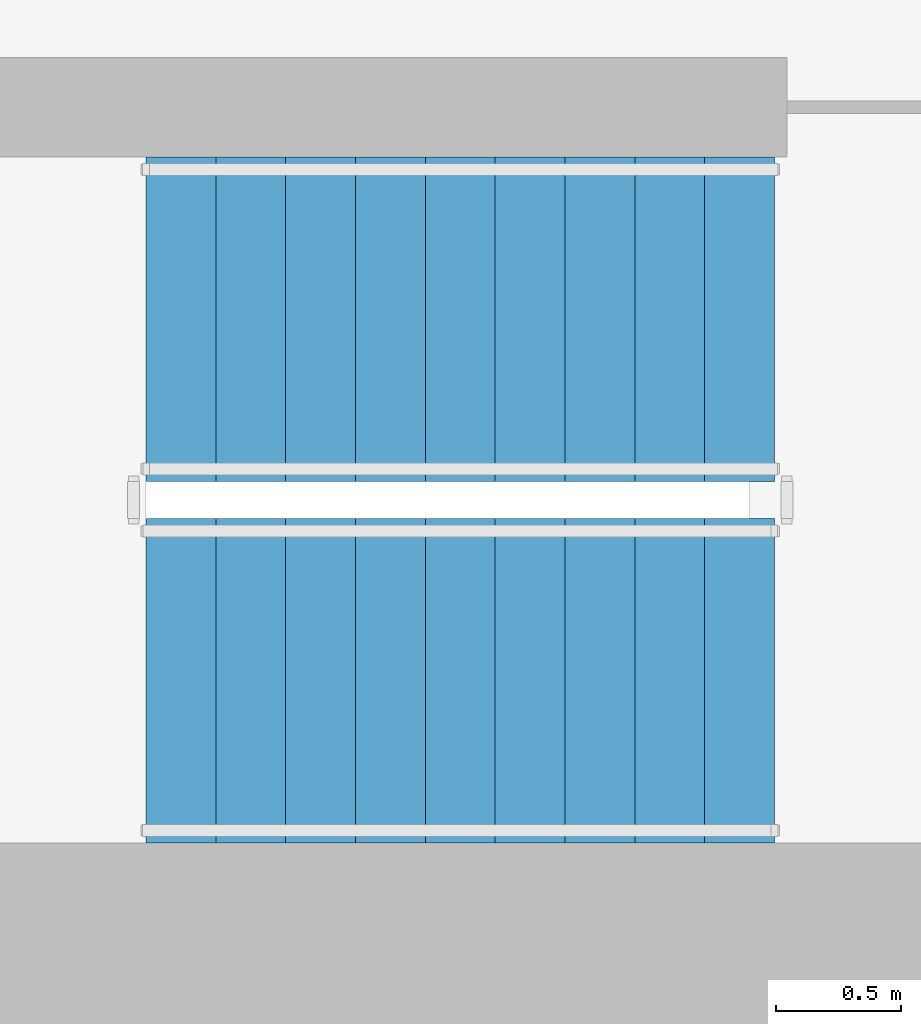
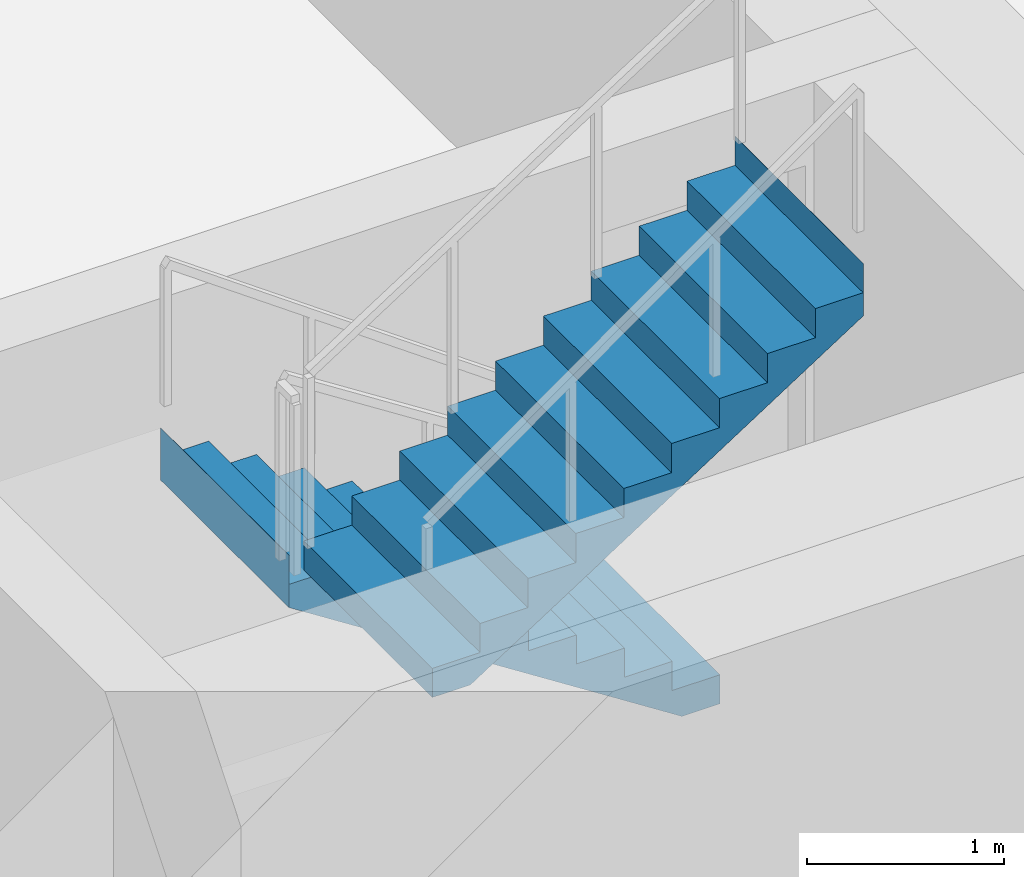
# One storey, part 19 of 24: 2 stair flights, 1 element without a shape of its own.
"""IFC4 building model written with IfcOpenShell, lengths in metres."""

import ifcopenshell
import ifcopenshell.guid

model = None  # the IFC model being written
_history = None  # IfcOwnerHistory: only IFC2X3 demands one
_inside = {}  # id of a spatial element -> (the spatial element, [elements in it])
_under = {}  # id of a project, library or spatial element -> (it, [spatial elements below it])
_declared = {}  # id of a project -> (the project, [libraries it declares])
_typed = {}  # id of a type object -> (the type object, [elements of that type])
_made_of = {}  # id of a material, layer set ... -> (it, [elements and type objects made of it])


def new_model(schema):
    """Start an empty IFC model of exactly this schema.

    Asked for "IFC4X3", IfcOpenShell would pick the latest addendum, in which some entities
    have other attributes; the version numbers below select the first issue.
    IFC2X3 requires an IfcOwnerHistory on every rooted entity: one is made here for all.
    """
    global model, _history
    if schema == "IFC4X3":
        model = ifcopenshell.file(schema_version=(4, 3, 0, 0))
    else:
        model = ifcopenshell.file(schema=schema)
    _inside.clear()
    _under.clear()
    _declared.clear()
    _typed.clear()
    _made_of.clear()
    _history = None
    if model.schema == "IFC2X3":
        org = make("IfcOrganization", Name="unknown")
        user = make(
            "IfcPersonAndOrganization",
            ThePerson=make("IfcPerson", FamilyName="unknown"),
            TheOrganization=org,
        )
        app = make(
            "IfcApplication",
            ApplicationDeveloper=org,
            Version="unknown",
            ApplicationFullName="unknown",
            ApplicationIdentifier="unknown",
        )
        _history = make(
            "IfcOwnerHistory",
            OwningUser=user,
            OwningApplication=app,
            ChangeAction="ADDED",
            CreationDate=0,
        )
    return model


def make(cls, **values):
    """One entity of the class cls with the attributes given. An attribute that is None is left unset."""
    return model.create_entity(
        cls, **{name: value for name, value in values.items() if value is not None}
    )


def rooted(cls, **values):
    """An entity with a GlobalId (a new one), such as an element, a storey or a relation."""
    return make(cls, GlobalId=ifcopenshell.guid.new(), OwnerHistory=_history, **values)


def si_unit(unit_type, name, prefix=None):
    """IfcSIUnit, for example si_unit("LENGTHUNIT", "METRE", prefix="MILLI")."""
    return make("IfcSIUnit", UnitType=unit_type, Prefix=prefix, Name=name)


def assignment(units):
    """IfcUnitAssignment: the units of a project."""
    return None if units is None else make("IfcUnitAssignment", Units=units)


def point(xyz):
    """IfcCartesianPoint."""
    return None if xyz is None else make("IfcCartesianPoint", Coordinates=xyz)


def direction(xyz):
    """IfcDirection."""
    return None if xyz is None else make("IfcDirection", DirectionRatios=xyz)


def frame(location, z_axis=None, x_axis=None):
    """IfcAxis2Placement3D, a coordinate frame: its origin and axes. An axis left out is left unset."""
    return make(
        "IfcAxis2Placement3D",
        Location=point(location),
        Axis=direction(z_axis),
        RefDirection=direction(x_axis),
    )


def origin():
    """The frame at (0, 0, 0) with its axes left unset."""
    return frame((0.0, 0.0, 0.0))


def place(relative_to, where):
    """IfcLocalPlacement: puts the frame where relative to a parent placement (None: the world)."""
    return make(
        "IfcLocalPlacement", PlacementRelTo=relative_to, RelativePlacement=where
    )


def context(
    kind, dimensions, precision=None, world=None, true_north=None, identifier=None
):
    """IfcGeometricRepresentationContext, for example the 3D "Model" context."""
    return make(
        "IfcGeometricRepresentationContext",
        ContextIdentifier=identifier,
        ContextType=kind,
        CoordinateSpaceDimension=dimensions,
        Precision=precision,
        WorldCoordinateSystem=world,
        TrueNorth=true_north,
    )


def subcontext(parent, identifier, kind, view, scale=None):
    """IfcGeometricRepresentationSubContext, for example "Body" below "Model"."""
    return make(
        "IfcGeometricRepresentationSubContext",
        ContextIdentifier=identifier,
        ContextType=kind,
        ParentContext=parent,
        TargetScale=scale,
        TargetView=view,
    )


def project(units=None, contexts=None):
    """IfcProject with its units and contexts."""
    return rooted(
        "IfcProject",
        Name="project",
        RepresentationContexts=contexts,
        UnitsInContext=assignment(units),
    )


def spatial(cls, under=None, at=None, **own):
    """A site, building, storey or space (cls), placed at a placement, below another one or the project."""
    s = rooted(cls, ObjectPlacement=at, **own)
    if under is not None:
        _under.setdefault(under.id(), (under, []))[1].append(s)
    return s


def point_list(points):
    """IfcCartesianPointList2D or 3D."""
    cls = (
        "IfcCartesianPointList2D" if len(points[0]) == 2 else "IfcCartesianPointList3D"
    )
    return make(cls, CoordList=points)


def triangles(points, corners, closed=None, point_numbers=None):
    """IfcTriangulatedFaceSet: each triangle names its three corners, points numbered from 1."""
    return make(
        "IfcTriangulatedFaceSet",
        Coordinates=point_list(points),
        Closed=closed,
        CoordIndex=corners,
        PnIndex=point_numbers,
    )


def shape(context_of_items, identifier, shape_type, items):
    """IfcShapeRepresentation: the items that make up one representation, for example the "Body"."""
    return make(
        "IfcShapeRepresentation",
        ContextOfItems=context_of_items,
        RepresentationIdentifier=identifier,
        RepresentationType=shape_type,
        Items=items,
    )


def material(Name=None, Category=None):
    """IfcMaterial."""
    return make("IfcMaterial", Name=Name, Category=Category)


def made_of(thing, what):
    """Note that an element or type object is made of a material, layer set ...; save() writes the relation."""
    if what is not None:
        _made_of.setdefault(what.id(), (what, []))[1].append(thing)
    return thing


def type_object(cls, material=None, **own):
    """A type object (cls), such as IfcWallType, which elements share."""
    return made_of(rooted(cls, **own), material)


def element(
    cls,
    number,
    at=None,
    inside=None,
    cuts=None,
    type_object=None,
    material=None,
    context=None,
    identifier="Body",
    shape_type=None,
    held_by="IfcProductDefinitionShape",
    body=None,
    shapes=None,
    **own,
):
    """One element of the class cls, such as IfcWall. Its Tag is "e" and its number.

    at: its placement. inside: the storey or other place that contains it. cuts: it is an
    opening in that element (IfcRelVoidsElement). A single representation is given by context,
    identifier, shape_type and body (its items); several are given by shapes. held_by: the class
    of the entity that holds the representations. save() writes the other relations.
    """
    e = rooted(cls, Tag="e%d" % number, ObjectPlacement=at, **own)
    if body is not None:
        shapes = [shape(context, identifier, shape_type, body)]
    if shapes is not None:
        e.Representation = make(held_by, Representations=shapes)
    if inside is not None:
        _inside.setdefault(inside.id(), (inside, []))[1].append(e)
    if cuts is not None:
        rooted(
            "IfcRelVoidsElement", RelatingBuildingElement=cuts, RelatedOpeningElement=e
        )
    if type_object is not None:
        _typed.setdefault(type_object.id(), (type_object, []))[1].append(e)
    return made_of(e, material)


def aggregate(whole, parts):
    """IfcRelAggregates: a whole, such as a stair, and the parts it consists of."""
    return rooted("IfcRelAggregates", RelatingObject=whole, RelatedObjects=parts)


def save(model, path):
    """Write the relations noted so far, then the file.

    IfcRelAggregates (storeys below a building ...), IfcRelContainedInSpatialStructure (elements
    in a storey), IfcRelDefinesByType, IfcRelAssociatesMaterial and IfcRelDeclares: one each for
    every whole, place, type object, material and project.
    """
    for whole, parts in _under.values():
        aggregate(whole, parts)
    for where, things in _inside.values():
        rooted(
            "IfcRelContainedInSpatialStructure",
            RelatedElements=things,
            RelatingStructure=where,
        )
    for kind, things in _typed.values():
        rooted("IfcRelDefinesByType", RelatedObjects=things, RelatingType=kind)
    for what, things in _made_of.values():
        rooted("IfcRelAssociatesMaterial", RelatedObjects=things, RelatingMaterial=what)
    for by, libraries in _declared.values():
        rooted("IfcRelDeclares", RelatingContext=by, RelatedDefinitions=libraries)
    model.write(path)


model = new_model("IFC4")

# Units and contexts
model_context = context("Model", 3, precision=1e-05, world=origin(), true_north=direction((0.0, 1.0)))
body_context = subcontext(model_context, "Body", "Model", "MODEL_VIEW")
ifc_project = project(units=[si_unit("LENGTHUNIT", "METRE"), si_unit("AREAUNIT", "SQUARE_METRE"), si_unit("VOLUMEUNIT", "CUBIC_METRE"), si_unit("PLANEANGLEUNIT", "RADIAN"), si_unit("MASSUNIT", "GRAM", prefix="KILO")], contexts=[model_context])

# Site, building, storey
site_placement = place(None, origin())
site = spatial("IfcSite", under=ifc_project, at=site_placement, CompositionType="ELEMENT")
building_placement = place(site_placement, origin())
building = spatial("IfcBuilding", under=site, at=building_placement, Name="Beryl Residences", CompositionType="ELEMENT")
storey_placement = place(building_placement, frame((0.0, 0.0, 199.199951171875)))
storey = spatial("IfcBuildingStorey", under=building, at=storey_placement, Name="L61", CompositionType="ELEMENT", Elevation=199.199951171875)

# Stair, stair flights
ifc_material_1 = material(Name="Concrete C40/50", Category="concrete")
stair_type = type_object("IfcStairType", Name="ST1 protected exit stair, half-turn, 1300 mm flights", PredefinedType="HALF_TURN_STAIR", material=ifc_material_1)
stair_placement = place(storey_placement, origin())
stair = element("IfcStair", 1, at=stair_placement, inside=storey, type_object=stair_type, Name="L61 PROTECTED EXIT STAIR ST-3", PredefinedType="HALF_TURN_STAIR")
ifc_material_2 = material(Name="Concrete C40/50", Category="concrete")
stair_flight_type = type_object("IfcStairFlightType", Name="SF1 stair flight 1300 mm", PredefinedType="STRAIGHT", material=ifc_material_2)
stair_flight_1_placement = place(storey_placement, frame((10.800048828125, -15.5, 0.0), z_axis=(0.0, 0.0, 1.0), x_axis=(-1.0, 0.0, 0.0)))
stair_flight_1 = element("IfcStairFlight", 2, at=stair_flight_1_placement, type_object=stair_flight_type, Name="ST-3 flight 1", NumberOfRisers=10, NumberOfTreads=9, PredefinedType="STRAIGHT", RiserHeight=0.18, TreadLength=0.28, context=body_context, shape_type="Tessellation", body=[
    triangles([(0.0, -0.64990234375, 0.0), (0.0, -0.324951171875, 0.0), (0.0, 0.0, 0.0), (0.0, 0.324951171875, 0.0), (0.0, 0.64990234375, 0.0), (0.0, -0.64990234375, 0.179931640625), (0.0, -0.324951171875, 0.179931640625), (0.0, 0.0, 0.179931640625), (0.0, 0.324951171875, 0.179931640625), (0.0, 0.64990234375, 0.179931640625), (0.280029296875, -0.64990234375, 0.179931640625), (0.280029296875, -0.324951171875, 0.179931640625), (0.280029296875, 0.0, 0.179931640625), (0.280029296875, 0.324951171875, 0.179931640625), (0.280029296875, 0.64990234375, 0.179931640625), (0.280029296875, -0.64990234375, 0.360107421875), (0.280029296875, -0.324951171875, 0.360107421875), (0.280029296875, 0.0, 0.360107421875), (0.280029296875, 0.324951171875, 0.360107421875), (0.280029296875, 0.64990234375, 0.360107421875), (0.56005859375, -0.64990234375, 0.360107421875), (0.56005859375, -0.324951171875, 0.360107421875), (0.56005859375, 0.0, 0.360107421875), (0.56005859375, 0.324951171875, 0.360107421875), (0.56005859375, 0.64990234375, 0.360107421875), (0.56005859375, -0.64990234375, 0.5400390625), (0.56005859375, -0.324951171875, 0.5400390625), (0.56005859375, 0.0, 0.5400390625), (0.56005859375, 0.324951171875, 0.5400390625), (0.56005859375, 0.64990234375, 0.5400390625), (0.840087890625, -0.64990234375, 0.5400390625), (0.840087890625, -0.324951171875, 0.5400390625), (0.840087890625, 0.0, 0.5400390625), (0.840087890625, 0.324951171875, 0.5400390625), (0.840087890625, 0.64990234375, 0.5400390625), (0.840087890625, -0.64990234375, 0.719970703125), (0.840087890625, -0.324951171875, 0.719970703125), (0.840087890625, 0.0, 0.719970703125), (0.840087890625, 0.324951171875, 0.719970703125), (0.840087890625, 0.64990234375, 0.719970703125), (1.1201171875, -0.64990234375, 0.719970703125), (1.1201171875, -0.324951171875, 0.719970703125), (1.1201171875, 0.0, 0.719970703125), (1.1201171875, 0.324951171875, 0.719970703125), (1.1201171875, 0.64990234375, 0.719970703125), (1.1201171875, -0.64990234375, 0.89990234375), (1.1201171875, -0.324951171875, 0.89990234375), (1.1201171875, 0.0, 0.89990234375), (1.1201171875, 0.324951171875, 0.89990234375), (1.1201171875, 0.64990234375, 0.89990234375), (1.39990234375, -0.64990234375, 0.89990234375), (1.39990234375, -0.324951171875, 0.89990234375), (1.39990234375, 0.0, 0.89990234375), (1.39990234375, 0.324951171875, 0.89990234375), (1.39990234375, 0.64990234375, 0.89990234375), (1.39990234375, -0.64990234375, 1.080078125), (1.39990234375, -0.324951171875, 1.080078125), (1.39990234375, 0.0, 1.080078125), (1.39990234375, 0.324951171875, 1.080078125), (1.39990234375, 0.64990234375, 1.080078125), (1.679931640625, -0.64990234375, 1.080078125), (1.679931640625, -0.324951171875, 1.080078125), (1.679931640625, 0.0, 1.080078125), (1.679931640625, 0.324951171875, 1.080078125), (1.679931640625, 0.64990234375, 1.080078125), (1.679931640625, -0.64990234375, 1.260009765625), (1.679931640625, -0.324951171875, 1.260009765625), (1.679931640625, 0.0, 1.260009765625), (1.679931640625, 0.324951171875, 1.260009765625), (1.679931640625, 0.64990234375, 1.260009765625), (1.9599609375, -0.64990234375, 1.260009765625), (1.9599609375, -0.324951171875, 1.260009765625), (1.9599609375, 0.0, 1.260009765625), (1.9599609375, 0.324951171875, 1.260009765625), (1.9599609375, 0.64990234375, 1.260009765625), (1.9599609375, -0.64990234375, 1.43994140625), (1.9599609375, -0.324951171875, 1.43994140625), (1.9599609375, 0.0, 1.43994140625), (1.9599609375, 0.324951171875, 1.43994140625), (1.9599609375, 0.64990234375, 1.43994140625), (2.239990234375, -0.64990234375, 1.43994140625), (2.239990234375, -0.324951171875, 1.43994140625), (2.239990234375, 0.0, 1.43994140625), (2.239990234375, 0.324951171875, 1.43994140625), (2.239990234375, 0.64990234375, 1.43994140625), (2.239990234375, -0.64990234375, 1.6201171875), (2.239990234375, -0.324951171875, 1.6201171875), (2.239990234375, 0.0, 1.6201171875), (2.239990234375, 0.324951171875, 1.6201171875), (2.239990234375, 0.64990234375, 1.6201171875), (2.52001953125, -0.64990234375, 1.6201171875), (2.52001953125, -0.324951171875, 1.6201171875), (2.52001953125, 0.0, 1.6201171875), (2.52001953125, 0.324951171875, 1.6201171875), (2.52001953125, 0.64990234375, 1.6201171875), (2.52001953125, -0.64990234375, 1.800048828125), (2.52001953125, -0.324951171875, 1.800048828125), (2.52001953125, 0.0, 1.800048828125), (2.52001953125, 0.324951171875, 1.800048828125), (2.52001953125, 0.64990234375, 1.800048828125), (2.52099609375, -0.64990234375, 1.800048828125), (2.52099609375, -0.324951171875, 1.800048828125), (2.52099609375, 0.0, 1.800048828125), (2.52099609375, 0.324951171875, 1.800048828125), (2.52099609375, 0.64990234375, 1.800048828125), (2.52099609375, -0.64990234375, 1.477294921875), (2.52099609375, -0.324951171875, 1.477294921875), (2.52099609375, 0.0, 1.477294921875), (2.52099609375, 0.324951171875, 1.477294921875), (2.52099609375, 0.64990234375, 1.477294921875), (0.22314453125, -0.64990234375, 0.0), (0.22314453125, -0.324951171875, 0.0), (0.22314453125, 0.0, 0.0), (0.22314453125, 0.324951171875, 0.0), (0.22314453125, 0.64990234375, 0.0)], [[1, 6, 7], [1, 7, 2], [2, 7, 8], [2, 8, 3], [3, 8, 9], [3, 9, 4], [4, 9, 10], [4, 10, 5], [6, 11, 12], [6, 12, 7], [7, 12, 13], [7, 13, 8], [8, 13, 14], [8, 14, 9], [9, 14, 15], [9, 15, 10], [11, 16, 17], [11, 17, 12], [12, 17, 18], [12, 18, 13], [13, 18, 19], [13, 19, 14], [14, 19, 20], [14, 20, 15], [16, 21, 22], [16, 22, 17], [17, 22, 23], [17, 23, 18], [18, 23, 24], [18, 24, 19], [19, 24, 25], [19, 25, 20], [21, 26, 27], [21, 27, 22], [22, 27, 28], [22, 28, 23], [23, 28, 29], [23, 29, 24], [24, 29, 30], [24, 30, 25], [26, 31, 32], [26, 32, 27], [27, 32, 33], [27, 33, 28], [28, 33, 34], [28, 34, 29], [29, 34, 35], [29, 35, 30], [31, 36, 37], [31, 37, 32], [32, 37, 38], [32, 38, 33], [33, 38, 39], [33, 39, 34], [34, 39, 40], [34, 40, 35], [36, 41, 42], [36, 42, 37], [37, 42, 43], [37, 43, 38], [38, 43, 44], [38, 44, 39], [39, 44, 45], [39, 45, 40], [41, 46, 47], [41, 47, 42], [42, 47, 48], [42, 48, 43], [43, 48, 49], [43, 49, 44], [44, 49, 50], [44, 50, 45], [46, 51, 52], [46, 52, 47], [47, 52, 53], [47, 53, 48], [48, 53, 54], [48, 54, 49], [49, 54, 55], [49, 55, 50], [51, 56, 57], [51, 57, 52], [52, 57, 58], [52, 58, 53], [53, 58, 59], [53, 59, 54], [54, 59, 60], [54, 60, 55], [56, 61, 62], [56, 62, 57], [57, 62, 63], [57, 63, 58], [58, 63, 64], [58, 64, 59], [59, 64, 65], [59, 65, 60], [61, 66, 67], [61, 67, 62], [62, 67, 68], [62, 68, 63], [63, 68, 69], [63, 69, 64], [64, 69, 70], [64, 70, 65], [66, 71, 72], [66, 72, 67], [67, 72, 73], [67, 73, 68], [68, 73, 74], [68, 74, 69], [69, 74, 75], [69, 75, 70], [71, 76, 77], [71, 77, 72], [72, 77, 78], [72, 78, 73], [73, 78, 79], [73, 79, 74], [74, 79, 80], [74, 80, 75], [76, 81, 82], [76, 82, 77], [77, 82, 83], [77, 83, 78], [78, 83, 84], [78, 84, 79], [79, 84, 85], [79, 85, 80], [81, 86, 87], [81, 87, 82], [82, 87, 88], [82, 88, 83], [83, 88, 89], [83, 89, 84], [84, 89, 90], [84, 90, 85], [86, 91, 92], [86, 92, 87], [87, 92, 93], [87, 93, 88], [88, 93, 94], [88, 94, 89], [89, 94, 95], [89, 95, 90], [91, 96, 97], [91, 97, 92], [92, 97, 98], [92, 98, 93], [93, 98, 99], [93, 99, 94], [94, 99, 100], [94, 100, 95], [96, 101, 102], [96, 102, 97], [97, 102, 103], [97, 103, 98], [98, 103, 104], [98, 104, 99], [99, 104, 105], [99, 105, 100], [101, 106, 107], [101, 107, 102], [102, 107, 108], [102, 108, 103], [103, 108, 109], [103, 109, 104], [104, 109, 110], [104, 110, 105], [106, 111, 112], [106, 112, 107], [107, 112, 113], [107, 113, 108], [108, 113, 114], [108, 114, 109], [109, 114, 115], [109, 115, 110], [111, 1, 2], [111, 2, 112], [112, 2, 3], [112, 3, 113], [113, 3, 4], [113, 4, 114], [114, 4, 5], [114, 5, 115], [1, 111, 106], [5, 110, 115], [106, 101, 96], [110, 100, 105], [106, 96, 91], [110, 95, 100], [106, 91, 86], [110, 90, 95], [106, 86, 81], [110, 85, 90], [81, 76, 71], [85, 75, 80], [106, 81, 71], [110, 75, 85], [71, 66, 61], [75, 65, 70], [106, 71, 61], [110, 65, 75], [61, 56, 51], [65, 55, 60], [106, 61, 51], [110, 55, 65], [51, 46, 41], [55, 45, 50], [106, 51, 41], [110, 45, 55], [41, 36, 31], [45, 35, 40], [106, 41, 31], [110, 35, 45], [31, 26, 21], [35, 25, 30], [106, 31, 21], [110, 25, 35], [21, 16, 11], [25, 15, 20], [106, 21, 11], [110, 15, 25], [1, 106, 11], [5, 15, 110], [11, 6, 1], [15, 5, 10]], closed=True),
])
stair_flight_2_placement = place(storey_placement, frame((8.280029296875, -16.949951171875, 1.800048828125), z_axis=(0.0, 0.0, 1.0), x_axis=(1.0, 0.0, 0.0)))
stair_flight_2 = element("IfcStairFlight", 3, at=stair_flight_2_placement, type_object=stair_flight_type, Name="ST-3 flight 2", NumberOfRisers=10, NumberOfTreads=9, PredefinedType="STRAIGHT", RiserHeight=0.18, TreadLength=0.28, context=body_context, shape_type="Tessellation", body=[
    triangles([(0.0, -0.64990234375, 0.0), (0.0, -0.324951171875, 0.0), (0.0, 0.0, 0.0), (0.0, 0.324951171875, 0.0), (0.0, 0.64990234375, 0.0), (0.0, -0.64990234375, 0.179931640625), (0.0, -0.324951171875, 0.179931640625), (0.0, 0.0, 0.179931640625), (0.0, 0.324951171875, 0.179931640625), (0.0, 0.64990234375, 0.179931640625), (0.280029296875, -0.64990234375, 0.179931640625), (0.280029296875, -0.324951171875, 0.179931640625), (0.280029296875, 0.0, 0.179931640625), (0.280029296875, 0.324951171875, 0.179931640625), (0.280029296875, 0.64990234375, 0.179931640625), (0.280029296875, -0.64990234375, 0.360107421875), (0.280029296875, -0.324951171875, 0.360107421875), (0.280029296875, 0.0, 0.360107421875), (0.280029296875, 0.324951171875, 0.360107421875), (0.280029296875, 0.64990234375, 0.360107421875), (0.56005859375, -0.64990234375, 0.360107421875), (0.56005859375, -0.324951171875, 0.360107421875), (0.56005859375, 0.0, 0.360107421875), (0.56005859375, 0.324951171875, 0.360107421875), (0.56005859375, 0.64990234375, 0.360107421875), (0.56005859375, -0.64990234375, 0.5400390625), (0.56005859375, -0.324951171875, 0.5400390625), (0.56005859375, 0.0, 0.5400390625), (0.56005859375, 0.324951171875, 0.5400390625), (0.56005859375, 0.64990234375, 0.5400390625), (0.840087890625, -0.64990234375, 0.5400390625), (0.840087890625, -0.324951171875, 0.5400390625), (0.840087890625, 0.0, 0.5400390625), (0.840087890625, 0.324951171875, 0.5400390625), (0.840087890625, 0.64990234375, 0.5400390625), (0.840087890625, -0.64990234375, 0.719970703125), (0.840087890625, -0.324951171875, 0.719970703125), (0.840087890625, 0.0, 0.719970703125), (0.840087890625, 0.324951171875, 0.719970703125), (0.840087890625, 0.64990234375, 0.719970703125), (1.1201171875, -0.64990234375, 0.719970703125), (1.1201171875, -0.324951171875, 0.719970703125), (1.1201171875, 0.0, 0.719970703125), (1.1201171875, 0.324951171875, 0.719970703125), (1.1201171875, 0.64990234375, 0.719970703125), (1.1201171875, -0.64990234375, 0.89990234375), (1.1201171875, -0.324951171875, 0.89990234375), (1.1201171875, 0.0, 0.89990234375), (1.1201171875, 0.324951171875, 0.89990234375), (1.1201171875, 0.64990234375, 0.89990234375), (1.39990234375, -0.64990234375, 0.89990234375), (1.39990234375, -0.324951171875, 0.89990234375), (1.39990234375, 0.0, 0.89990234375), (1.39990234375, 0.324951171875, 0.89990234375), (1.39990234375, 0.64990234375, 0.89990234375), (1.39990234375, -0.64990234375, 1.080078125), (1.39990234375, -0.324951171875, 1.080078125), (1.39990234375, 0.0, 1.080078125), (1.39990234375, 0.324951171875, 1.080078125), (1.39990234375, 0.64990234375, 1.080078125), (1.679931640625, -0.64990234375, 1.080078125), (1.679931640625, -0.324951171875, 1.080078125), (1.679931640625, 0.0, 1.080078125), (1.679931640625, 0.324951171875, 1.080078125), (1.679931640625, 0.64990234375, 1.080078125), (1.679931640625, -0.64990234375, 1.260009765625), (1.679931640625, -0.324951171875, 1.260009765625), (1.679931640625, 0.0, 1.260009765625), (1.679931640625, 0.324951171875, 1.260009765625), (1.679931640625, 0.64990234375, 1.260009765625), (1.9599609375, -0.64990234375, 1.260009765625), (1.9599609375, -0.324951171875, 1.260009765625), (1.9599609375, 0.0, 1.260009765625), (1.9599609375, 0.324951171875, 1.260009765625), (1.9599609375, 0.64990234375, 1.260009765625), (1.9599609375, -0.64990234375, 1.43994140625), (1.9599609375, -0.324951171875, 1.43994140625), (1.9599609375, 0.0, 1.43994140625), (1.9599609375, 0.324951171875, 1.43994140625), (1.9599609375, 0.64990234375, 1.43994140625), (2.239990234375, -0.64990234375, 1.43994140625), (2.239990234375, -0.324951171875, 1.43994140625), (2.239990234375, 0.0, 1.43994140625), (2.239990234375, 0.324951171875, 1.43994140625), (2.239990234375, 0.64990234375, 1.43994140625), (2.239990234375, -0.64990234375, 1.6201171875), (2.239990234375, -0.324951171875, 1.6201171875), (2.239990234375, 0.0, 1.6201171875), (2.239990234375, 0.324951171875, 1.6201171875), (2.239990234375, 0.64990234375, 1.6201171875), (2.52001953125, -0.64990234375, 1.6201171875), (2.52001953125, -0.324951171875, 1.6201171875), (2.52001953125, 0.0, 1.6201171875), (2.52001953125, 0.324951171875, 1.6201171875), (2.52001953125, 0.64990234375, 1.6201171875), (2.52001953125, -0.64990234375, 1.800048828125), (2.52001953125, -0.324951171875, 1.800048828125), (2.52001953125, 0.0, 1.800048828125), (2.52001953125, 0.324951171875, 1.800048828125), (2.52001953125, 0.64990234375, 1.800048828125), (2.52099609375, -0.64990234375, 1.800048828125), (2.52099609375, -0.324951171875, 1.800048828125), (2.52099609375, 0.0, 1.800048828125), (2.52099609375, 0.324951171875, 1.800048828125), (2.52099609375, 0.64990234375, 1.800048828125), (2.52099609375, -0.64990234375, 1.477294921875), (2.52099609375, -0.324951171875, 1.477294921875), (2.52099609375, 0.0, 1.477294921875), (2.52099609375, 0.324951171875, 1.477294921875), (2.52099609375, 0.64990234375, 1.477294921875), (0.22314453125, -0.64990234375, 0.0), (0.22314453125, -0.324951171875, 0.0), (0.22314453125, 0.0, 0.0), (0.22314453125, 0.324951171875, 0.0), (0.22314453125, 0.64990234375, 0.0)], [[1, 6, 7], [1, 7, 2], [2, 7, 8], [2, 8, 3], [3, 8, 9], [3, 9, 4], [4, 9, 10], [4, 10, 5], [6, 11, 12], [6, 12, 7], [7, 12, 13], [7, 13, 8], [8, 13, 14], [8, 14, 9], [9, 14, 15], [9, 15, 10], [11, 16, 17], [11, 17, 12], [12, 17, 18], [12, 18, 13], [13, 18, 19], [13, 19, 14], [14, 19, 20], [14, 20, 15], [16, 21, 22], [16, 22, 17], [17, 22, 23], [17, 23, 18], [18, 23, 24], [18, 24, 19], [19, 24, 25], [19, 25, 20], [21, 26, 27], [21, 27, 22], [22, 27, 28], [22, 28, 23], [23, 28, 29], [23, 29, 24], [24, 29, 30], [24, 30, 25], [26, 31, 32], [26, 32, 27], [27, 32, 33], [27, 33, 28], [28, 33, 34], [28, 34, 29], [29, 34, 35], [29, 35, 30], [31, 36, 37], [31, 37, 32], [32, 37, 38], [32, 38, 33], [33, 38, 39], [33, 39, 34], [34, 39, 40], [34, 40, 35], [36, 41, 42], [36, 42, 37], [37, 42, 43], [37, 43, 38], [38, 43, 44], [38, 44, 39], [39, 44, 45], [39, 45, 40], [41, 46, 47], [41, 47, 42], [42, 47, 48], [42, 48, 43], [43, 48, 49], [43, 49, 44], [44, 49, 50], [44, 50, 45], [46, 51, 52], [46, 52, 47], [47, 52, 53], [47, 53, 48], [48, 53, 54], [48, 54, 49], [49, 54, 55], [49, 55, 50], [51, 56, 57], [51, 57, 52], [52, 57, 58], [52, 58, 53], [53, 58, 59], [53, 59, 54], [54, 59, 60], [54, 60, 55], [56, 61, 62], [56, 62, 57], [57, 62, 63], [57, 63, 58], [58, 63, 64], [58, 64, 59], [59, 64, 65], [59, 65, 60], [61, 66, 67], [61, 67, 62], [62, 67, 68], [62, 68, 63], [63, 68, 69], [63, 69, 64], [64, 69, 70], [64, 70, 65], [66, 71, 72], [66, 72, 67], [67, 72, 73], [67, 73, 68], [68, 73, 74], [68, 74, 69], [69, 74, 75], [69, 75, 70], [71, 76, 77], [71, 77, 72], [72, 77, 78], [72, 78, 73], [73, 78, 79], [73, 79, 74], [74, 79, 80], [74, 80, 75], [76, 81, 82], [76, 82, 77], [77, 82, 83], [77, 83, 78], [78, 83, 84], [78, 84, 79], [79, 84, 85], [79, 85, 80], [81, 86, 87], [81, 87, 82], [82, 87, 88], [82, 88, 83], [83, 88, 89], [83, 89, 84], [84, 89, 90], [84, 90, 85], [86, 91, 92], [86, 92, 87], [87, 92, 93], [87, 93, 88], [88, 93, 94], [88, 94, 89], [89, 94, 95], [89, 95, 90], [91, 96, 97], [91, 97, 92], [92, 97, 98], [92, 98, 93], [93, 98, 99], [93, 99, 94], [94, 99, 100], [94, 100, 95], [96, 101, 102], [96, 102, 97], [97, 102, 103], [97, 103, 98], [98, 103, 104], [98, 104, 99], [99, 104, 105], [99, 105, 100], [101, 106, 107], [101, 107, 102], [102, 107, 108], [102, 108, 103], [103, 108, 109], [103, 109, 104], [104, 109, 110], [104, 110, 105], [106, 111, 112], [106, 112, 107], [107, 112, 113], [107, 113, 108], [108, 113, 114], [108, 114, 109], [109, 114, 115], [109, 115, 110], [111, 1, 2], [111, 2, 112], [112, 2, 3], [112, 3, 113], [113, 3, 4], [113, 4, 114], [114, 4, 5], [114, 5, 115], [1, 111, 106], [5, 110, 115], [106, 101, 96], [110, 100, 105], [106, 96, 91], [110, 95, 100], [106, 91, 86], [110, 90, 95], [106, 86, 81], [110, 85, 90], [81, 76, 71], [85, 75, 80], [106, 81, 71], [110, 75, 85], [71, 66, 61], [75, 65, 70], [106, 71, 61], [110, 65, 75], [61, 56, 51], [65, 55, 60], [106, 61, 51], [110, 55, 65], [51, 46, 41], [55, 45, 50], [106, 51, 41], [110, 45, 55], [41, 36, 31], [45, 35, 40], [106, 41, 31], [110, 35, 45], [31, 26, 21], [35, 25, 30], [106, 31, 21], [110, 25, 35], [21, 16, 11], [25, 15, 20], [106, 21, 11], [110, 15, 25], [1, 106, 11], [5, 15, 110], [11, 6, 1], [15, 5, 10]], closed=True),
])
aggregate(stair, [stair_flight_1, stair_flight_2])

save(model, "model.ifc")
